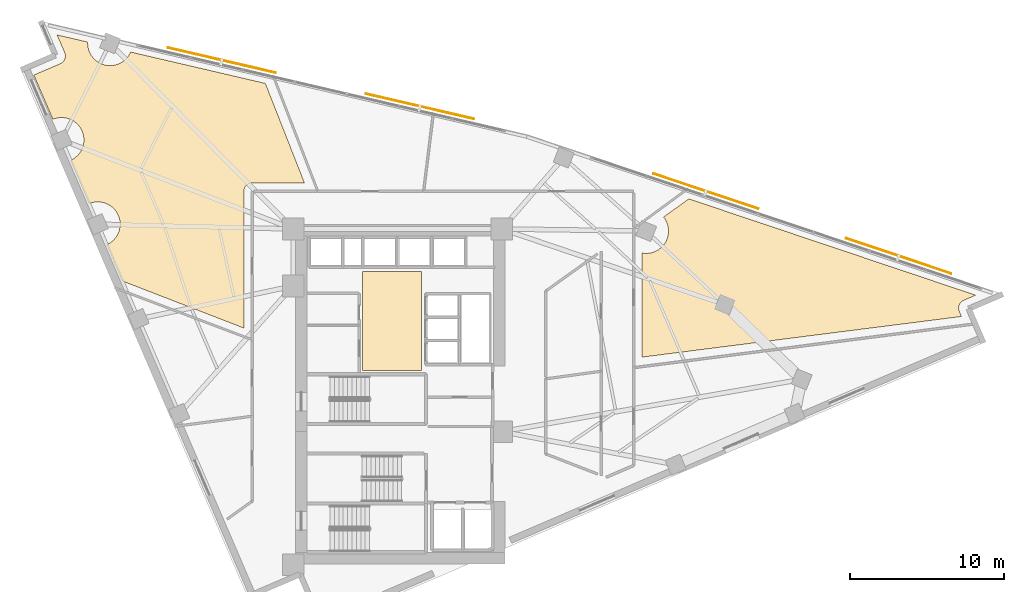
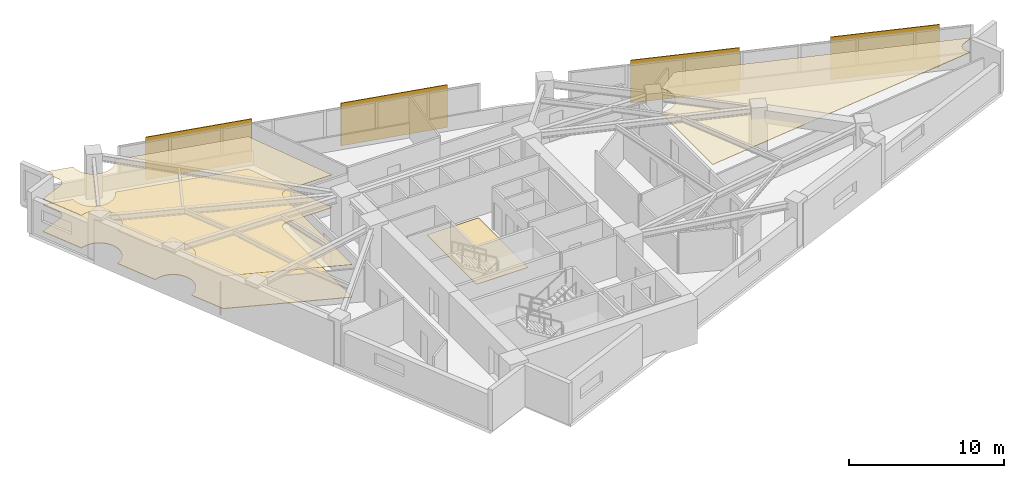
# One storey, part 14 of 14: 4 coverings, 4 shading devices.
"""IFC4 building model written with IfcOpenShell, lengths in metres."""

from ifc_helpers import new_model, si_unit, direction, frame, origin, origin_2d, place, context, subcontext, project, spatial, polyline, rectangle, outline, extrude, material, layer, layer_set, type_object, element, save


model = new_model("IFC4")

# Units and contexts
model_context = context("Model", 3, precision=1e-05, world=origin(), true_north=direction((0.0, 1.0)))
body_context = subcontext(model_context, "Body", "Model", "MODEL_VIEW")
ifc_project = project(units=[si_unit("LENGTHUNIT", "METRE"), si_unit("AREAUNIT", "SQUARE_METRE"), si_unit("VOLUMEUNIT", "CUBIC_METRE"), si_unit("PLANEANGLEUNIT", "RADIAN"), si_unit("MASSUNIT", "GRAM", prefix="KILO")], contexts=[model_context])

# Site, building, storey
site_placement = place(None, origin())
site = spatial("IfcSite", under=ifc_project, at=site_placement, CompositionType="ELEMENT")
building_placement = place(site_placement, origin())
building = spatial("IfcBuilding", under=site, at=building_placement, Name="Narakoshi Arena Tower", CompositionType="ELEMENT")
storey_placement = place(building_placement, frame((0.0, 0.0, 189.659912109375)))
storey = spatial("IfcBuildingStorey", under=building, at=storey_placement, Name="L51", CompositionType="ELEMENT", Elevation=189.659912109375)

# Coverings
ifc_material_1 = material(Name="Acoustic mineral-fibre ceiling tile")
ifc_layer_1 = layer(ifc_material_1, 0.02001953125)
ifc_layer_set_1 = layer_set([ifc_layer_1], Name="Acoustic mineral-fibre ceiling tile")
covering_type_1 = type_object("IfcCoveringType", Name="COV-CLG-AC20", PredefinedType="CEILING", material=ifc_layer_set_1)
covering_1_placement = place(storey_placement, frame((0.0, 0.0, 2.590087890625)))
element("IfcCovering", 1, at=covering_1_placement, inside=storey, type_object=covering_type_1, Name="L51 Suspended Acoustic Ceiling 1", PredefinedType="CEILING", context=body_context, shape_type="SweptSolid", body=[
    extrude(outline(polyline([(56.937255859375, 67.25), (56.983154296875, 67.2783203125), (57.02587890625, 67.31103515625), (57.065673828125, 67.347900390625), (57.101318359375, 67.38818359375), (57.1328125, 67.431884765625), (57.159912109375, 67.478759765625), (57.182373046875, 67.52783203125), (57.199951171875, 67.578857421875), (57.21240234375, 67.63134765625), (57.219482421875, 67.684814453125), (57.2216796875, 67.73876953125), (57.21826171875, 67.792724609375), (57.209716796875, 67.845947265625), (57.19580078125, 67.898193359375), (57.177001953125, 67.94873046875), (56.6845703125, 69.0947265625), (58.675537109375, 68.631103515625), (58.671630859375, 68.55126953125), (58.6787109375, 68.4091796875), (58.69970703125, 68.268310546875), (58.734130859375, 68.13037109375), (58.781982421875, 67.996337890625), (58.843017578125, 67.867919921875), (58.916015625, 67.74560546875), (59.000732421875, 67.63134765625), (59.096435546875, 67.52587890625), (59.201904296875, 67.430419921875), (59.316162109375, 67.345703125), (59.438232421875, 67.2724609375), (59.56689453125, 67.211669921875), (59.70068359375, 67.163818359375), (59.8388671875, 67.129150390625), (59.9794921875, 67.1083984375), (60.12158203125, 67.101318359375), (60.263916015625, 67.1083984375), (60.404541015625, 67.129150390625), (60.54248046875, 67.163818359375), (60.676513671875, 67.211669921875), (60.80517578125, 67.2724609375), (60.92724609375, 67.345703125), (61.04150390625, 67.430419921875), (61.14697265625, 67.52587890625), (61.24267578125, 67.63134765625), (61.327392578125, 67.74560546875), (61.400390625, 67.867919921875), (61.45556640625, 67.984130859375), (70.201416015625, 65.9482421875), (72.739990234375, 59.487060546875), (69.353759765625, 59.487060546875), (69.2998046875, 59.484375), (69.24658203125, 59.476318359375), (69.194091796875, 59.46337890625), (69.143310546875, 59.445068359375), (69.094482421875, 59.422119140625), (69.048095703125, 59.394287109375), (69.0048828125, 59.3623046875), (68.96484375, 59.325927734375), (68.9287109375, 59.285888671875), (68.896484375, 59.24267578125), (68.86865234375, 59.1962890625), (68.845703125, 59.1474609375), (68.827392578125, 59.0966796875), (68.814453125, 59.044189453125), (68.806396484375, 58.990966796875), (68.8037109375, 58.93701171875), (68.8037109375, 50.06982421875), (60.921630859375, 53.119140625), (59.9072265625, 55.480224609375), (60.009521484375, 55.528564453125), (60.131591796875, 55.601806640625), (60.24609375, 55.6865234375), (60.351318359375, 55.781982421875), (60.447021484375, 55.887451171875), (60.53173828125, 56.001708984375), (60.60498046875, 56.123779296875), (60.665771484375, 56.25244140625), (60.713623046875, 56.386474609375), (60.748291015625, 56.5244140625), (60.76904296875, 56.665283203125), (60.776123046875, 56.807373046875), (60.76904296875, 56.949462890625), (60.748291015625, 57.09033203125), (60.713623046875, 57.228271484375), (60.665771484375, 57.3623046875), (60.60498046875, 57.490966796875), (60.53173828125, 57.613037109375), (60.447021484375, 57.727294921875), (60.351318359375, 57.832763671875), (60.24609375, 57.92822265625), (60.131591796875, 58.012939453125), (60.009521484375, 58.086181640625), (59.881103515625, 58.14697265625), (59.7470703125, 58.195068359375), (59.60888671875, 58.2294921875), (59.46826171875, 58.25048828125), (59.326171875, 58.25732421875), (59.18408203125, 58.25048828125), (59.043212890625, 58.2294921875), (58.9052734375, 58.195068359375), (58.771240234375, 58.14697265625), (58.76318359375, 58.143310546875), (57.556640625, 60.951416015625), (57.6591796875, 60.999755859375), (57.78125, 61.072998046875), (57.8955078125, 61.15771484375), (58.0009765625, 61.253173828125), (58.096435546875, 61.358642578125), (58.18115234375, 61.472900390625), (58.25439453125, 61.594970703125), (58.315185546875, 61.7236328125), (58.36328125, 61.857666015625), (58.397705078125, 61.99560546875), (58.418701171875, 62.136474609375), (58.425537109375, 62.278564453125), (58.418701171875, 62.420654296875), (58.397705078125, 62.561279296875), (58.36328125, 62.699462890625), (58.315185546875, 62.83349609375), (58.25439453125, 62.9619140625), (58.18115234375, 63.083984375), (58.096435546875, 63.198486328125), (58.0009765625, 63.3037109375), (57.8955078125, 63.3994140625), (57.78125, 63.484130859375), (57.6591796875, 63.557373046875), (57.530517578125, 63.6181640625), (57.396484375, 63.666015625), (57.258544921875, 63.70068359375), (57.11767578125, 63.721435546875), (56.9755859375, 63.728515625), (56.83349609375, 63.721435546875), (56.692626953125, 63.70068359375), (56.5546875, 63.666015625), (56.420654296875, 63.6181640625), (56.41259765625, 63.6142578125), (55.1767578125, 66.49072265625), (56.888671875, 67.226318359375), (56.937255859375, 67.25)])), origin(), (0.0, 0.0, 1.0), 0.02001953125),
])
ifc_material_2 = material(Name="Slatted oak acoustic timber baffle", Category="wood")
ifc_layer_2 = layer(ifc_material_2, 0.034912109375)
ifc_layer_set_2 = layer_set([ifc_layer_2], Name="Slatted oak acoustic timber baffle")
covering_type_2 = type_object("IfcCoveringType", Name="COV-CLG-WD35", PredefinedType="CEILING", material=ifc_layer_set_2)
covering_2_placement = place(storey_placement, frame((0.0, 0.0, 2.5751953125)))
element("IfcCovering", 2, at=covering_2_placement, inside=storey, type_object=covering_type_2, Name="L51 Suspended Acoustic Ceiling 2", PredefinedType="CEILING", context=body_context, shape_type="SweptSolid", body=[
    extrude(outline(polyline([(115.52685546875, 51.870361328125), (115.478515625, 51.8466796875), (115.4326171875, 51.818359375), (115.3896484375, 51.78564453125), (115.35009765625, 51.748779296875), (115.314208984375, 51.70849609375), (115.28271484375, 51.664794921875), (115.255615234375, 51.617919921875), (115.233154296875, 51.56884765625), (115.215576171875, 51.517822265625), (115.203125, 51.46533203125), (115.196044921875, 51.411865234375), (115.194091796875, 51.35791015625), (115.197509765625, 51.303955078125), (115.2060546875, 51.250732421875), (115.2197265625, 51.198486328125), (115.23876953125, 51.14794921875), (115.379638671875, 50.820068359375), (94.646240234375, 48.182373046875), (94.646240234375, 54.9423828125), (94.772705078125, 54.923583984375), (94.914794921875, 54.916748046875), (95.056884765625, 54.923583984375), (95.197509765625, 54.944580078125), (95.335693359375, 54.97900390625), (95.469482421875, 55.027099609375), (95.59814453125, 55.087890625), (95.72021484375, 55.1611328125), (95.834716796875, 55.245849609375), (95.93994140625, 55.34130859375), (96.03564453125, 55.44677734375), (96.120361328125, 55.56103515625), (96.193603515625, 55.68310546875), (96.25439453125, 55.811767578125), (96.30224609375, 55.94580078125), (96.3369140625, 56.083740234375), (96.357666015625, 56.224609375), (96.36474609375, 56.36669921875), (96.357666015625, 56.5087890625), (96.3369140625, 56.649658203125), (96.30224609375, 56.78759765625), (96.25439453125, 56.921630859375), (96.193603515625, 57.05029296875), (96.120361328125, 57.17236328125), (96.043212890625, 57.276123046875), (97.68505859375, 58.45361328125), (116.30224609375, 52.20361328125), (115.52685546875, 51.870361328125)])), origin(), (0.0, 0.0, 1.0), 0.034912109375),
])
ifc_material_3 = material(Name="Raised steel access floor panel", Category="steel")
ifc_layer_3 = layer(ifc_material_3, 0.044921875)
ifc_layer_set_3 = layer_set([ifc_layer_3], Name="Raised steel access floor panel")
covering_type_3 = type_object("IfcCoveringType", Name="COV-FLR-RF45", PredefinedType="FLOORING", material=ifc_layer_set_3)
covering_3_placement = place(storey_placement, origin())
element("IfcCovering", 3, at=covering_3_placement, inside=storey, type_object=covering_type_3, Name="L51 Raised Steel Access Floor", PredefinedType="FLOORING", context=body_context, shape_type="SweptSolid", body=[
    extrude(outline(polyline([(56.937255859375, 67.25), (56.983154296875, 67.2783203125), (57.02587890625, 67.31103515625), (57.065673828125, 67.347900390625), (57.101318359375, 67.38818359375), (57.1328125, 67.431884765625), (57.159912109375, 67.478759765625), (57.182373046875, 67.52783203125), (57.199951171875, 67.578857421875), (57.21240234375, 67.63134765625), (57.219482421875, 67.684814453125), (57.2216796875, 67.73876953125), (57.21826171875, 67.792724609375), (57.209716796875, 67.845947265625), (57.19580078125, 67.898193359375), (57.177001953125, 67.94873046875), (56.6845703125, 69.0947265625), (58.675537109375, 68.631103515625), (58.671630859375, 68.55126953125), (58.6787109375, 68.4091796875), (58.69970703125, 68.268310546875), (58.734130859375, 68.13037109375), (58.781982421875, 67.996337890625), (58.843017578125, 67.867919921875), (58.916015625, 67.74560546875), (59.000732421875, 67.63134765625), (59.096435546875, 67.52587890625), (59.201904296875, 67.430419921875), (59.316162109375, 67.345703125), (59.438232421875, 67.2724609375), (59.56689453125, 67.211669921875), (59.70068359375, 67.163818359375), (59.8388671875, 67.129150390625), (59.9794921875, 67.1083984375), (60.12158203125, 67.101318359375), (60.263916015625, 67.1083984375), (60.404541015625, 67.129150390625), (60.54248046875, 67.163818359375), (60.676513671875, 67.211669921875), (60.80517578125, 67.2724609375), (60.92724609375, 67.345703125), (61.04150390625, 67.430419921875), (61.14697265625, 67.52587890625), (61.24267578125, 67.63134765625), (61.327392578125, 67.74560546875), (61.400390625, 67.867919921875), (61.45556640625, 67.984130859375), (70.201416015625, 65.9482421875), (72.739990234375, 59.487060546875), (69.353759765625, 59.487060546875), (69.2998046875, 59.484375), (69.24658203125, 59.476318359375), (69.194091796875, 59.46337890625), (69.143310546875, 59.445068359375), (69.094482421875, 59.422119140625), (69.048095703125, 59.394287109375), (69.0048828125, 59.3623046875), (68.96484375, 59.325927734375), (68.9287109375, 59.285888671875), (68.896484375, 59.24267578125), (68.86865234375, 59.1962890625), (68.845703125, 59.1474609375), (68.827392578125, 59.0966796875), (68.814453125, 59.044189453125), (68.806396484375, 58.990966796875), (68.8037109375, 58.93701171875), (68.8037109375, 50.06982421875), (60.921630859375, 53.119140625), (59.9072265625, 55.480224609375), (60.009521484375, 55.528564453125), (60.131591796875, 55.601806640625), (60.24609375, 55.6865234375), (60.351318359375, 55.781982421875), (60.447021484375, 55.887451171875), (60.53173828125, 56.001708984375), (60.60498046875, 56.123779296875), (60.665771484375, 56.25244140625), (60.713623046875, 56.386474609375), (60.748291015625, 56.5244140625), (60.76904296875, 56.665283203125), (60.776123046875, 56.807373046875), (60.76904296875, 56.949462890625), (60.748291015625, 57.09033203125), (60.713623046875, 57.228271484375), (60.665771484375, 57.3623046875), (60.60498046875, 57.490966796875), (60.53173828125, 57.613037109375), (60.447021484375, 57.727294921875), (60.351318359375, 57.832763671875), (60.24609375, 57.92822265625), (60.131591796875, 58.012939453125), (60.009521484375, 58.086181640625), (59.881103515625, 58.14697265625), (59.7470703125, 58.195068359375), (59.60888671875, 58.2294921875), (59.46826171875, 58.25048828125), (59.326171875, 58.25732421875), (59.18408203125, 58.25048828125), (59.043212890625, 58.2294921875), (58.9052734375, 58.195068359375), (58.771240234375, 58.14697265625), (58.76318359375, 58.143310546875), (57.556640625, 60.951416015625), (57.6591796875, 60.999755859375), (57.78125, 61.072998046875), (57.8955078125, 61.15771484375), (58.0009765625, 61.253173828125), (58.096435546875, 61.358642578125), (58.18115234375, 61.472900390625), (58.25439453125, 61.594970703125), (58.315185546875, 61.7236328125), (58.36328125, 61.857666015625), (58.397705078125, 61.99560546875), (58.418701171875, 62.136474609375), (58.425537109375, 62.278564453125), (58.418701171875, 62.420654296875), (58.397705078125, 62.561279296875), (58.36328125, 62.699462890625), (58.315185546875, 62.83349609375), (58.25439453125, 62.9619140625), (58.18115234375, 63.083984375), (58.096435546875, 63.198486328125), (58.0009765625, 63.3037109375), (57.8955078125, 63.3994140625), (57.78125, 63.484130859375), (57.6591796875, 63.557373046875), (57.530517578125, 63.6181640625), (57.396484375, 63.666015625), (57.258544921875, 63.70068359375), (57.11767578125, 63.721435546875), (56.9755859375, 63.728515625), (56.83349609375, 63.721435546875), (56.692626953125, 63.70068359375), (56.5546875, 63.666015625), (56.420654296875, 63.6181640625), (56.41259765625, 63.6142578125), (55.1767578125, 66.49072265625), (56.888671875, 67.226318359375), (56.937255859375, 67.25)])), origin(), (0.0, 0.0, 1.0), 0.045166015625),
])
ifc_material_4 = material(Name="Honed granite stone paving", Category="masonry")
ifc_layer_4 = layer(ifc_material_4, 0.030029296875)
ifc_layer_set_4 = layer_set([ifc_layer_4], Name="Honed granite stone paving")
covering_type_4 = type_object("IfcCoveringType", Name="COV-FLR-ST30", PredefinedType="FLOORING", material=ifc_layer_set_4)
covering_4_placement = place(storey_placement, origin())
element("IfcCovering", 4, at=covering_4_placement, inside=storey, type_object=covering_type_4, Name="L51 Lift Lobby Granite Flooring", PredefinedType="FLOORING", context=body_context, shape_type="SweptSolid", body=[
    extrude(outline(polyline([(76.5, 47.300048828125), (80.35009765625, 47.300048828125), (80.35009765625, 53.75), (76.5, 53.75), (76.5, 47.300048828125)])), origin(), (0.0, 0.0, 1.0), 0.030029296875),
])

# Shading devices
ifc_material_5 = material(Name="Perforated bronze ceramic-metal composite")
ifc_layer_5 = layer(ifc_material_5, 0.06005859375)
ifc_layer_set_5 = layer_set([ifc_layer_5], Name="Perforated bronze ceramic-metal composite")
shading_device_type = type_object("IfcShadingDeviceType", Name="SHD-SCR-BRZ2", PredefinedType="USERDEFINED", material=ifc_layer_set_5)
for number, where, z_axis, x_axis, name in (
    (5, (111.30126953125, 54.747314453125, 0.0), (0.0, 0.0, 1.0), (-0.948001964735, 0.318264473134, 0.0), "L51 Perforated Bronze Solar Screen 1-1"),
    (6, (98.78759765625, 58.948486328125, 0.0), (0.0, 0.0, 1.0), (-0.948001964735, 0.318264473134, 0.0), "L51 Perforated Bronze Solar Screen 1-2"),
    (7, (80.23193359375, 64.455078125, 0.0), (0.0, 0.0, 1.0), (-0.973960141659, 0.226719303234, 0.0), "L51 Perforated Bronze Solar Screen 2-1"),
    (8, (67.37548828125, 67.447998046875, 0.0), (0.0, 0.0, 1.0), (-0.973960141659, 0.226719303234, 0.0), "L51 Perforated Bronze Solar Screen 2-2"),
):
    element("IfcShadingDevice", number, at=place(storey_placement, frame(where, z_axis=z_axis, x_axis=x_axis)), inside=storey, type_object=shading_device_type, Name=name, ObjectType="SOLAR SCREEN", PredefinedType="USERDEFINED", context=body_context, shape_type="SweptSolid", body=[
        extrude(rectangle(XDim=7.199951171875, YDim=0.06005859375, at=origin_2d()), origin(), (0.0, 0.0, 1.0), 3.3701171875),
    ])

save(model, "model.ifc")
